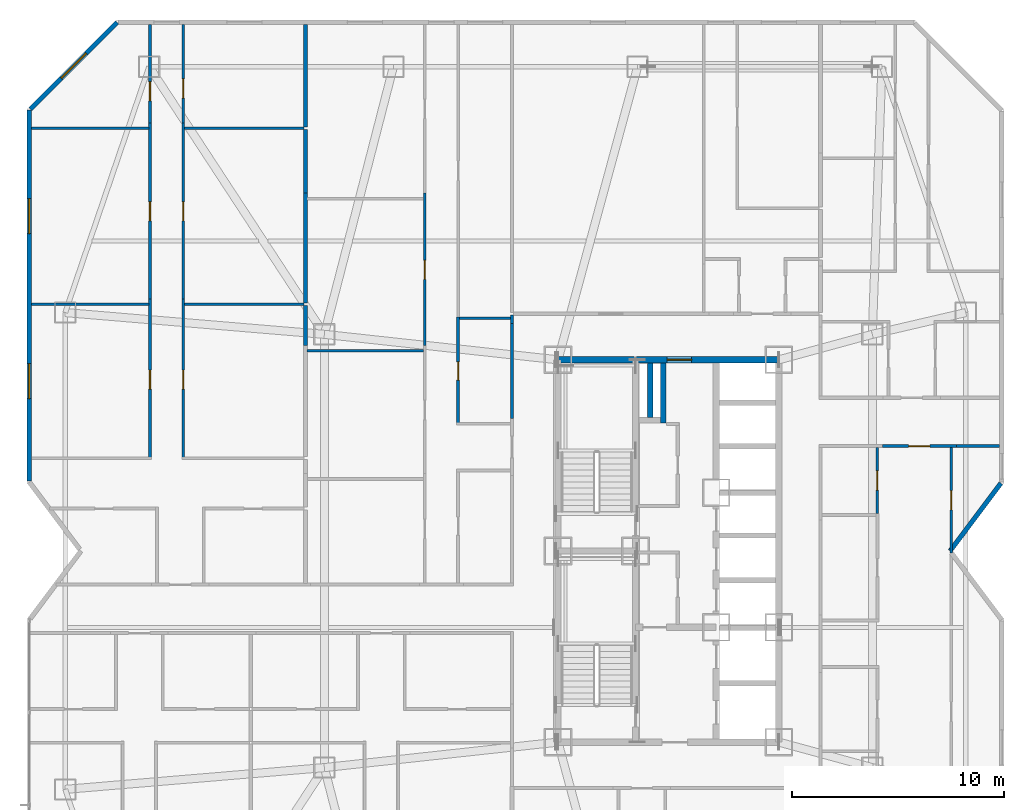
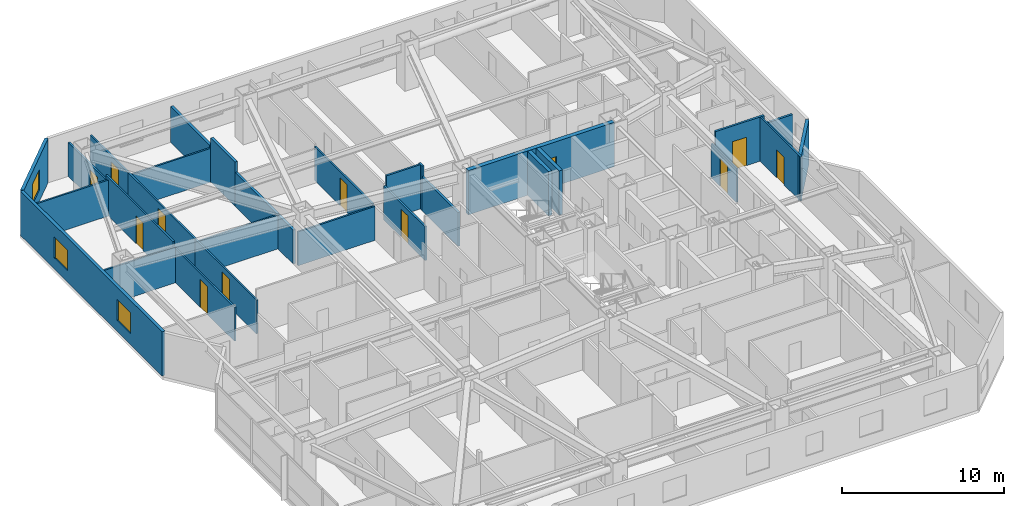
# One storey, part 15 of 18: 30 walls, 12 doors, 3 windows, 15 openings.
"""IFC4 building model written with IfcOpenShell, lengths in metres."""

from ifc_helpers import new_model, si_unit, direction, frame, frame_2d, origin, place, context, subcontext, project, spatial, rectangle, extrude, material, layer, layer_set, type_object, element, fill, save


model = new_model("IFC4")

# Units and contexts
model_context = context("Model", 3, precision=1e-05, world=origin(), true_north=direction((0.0, 1.0)))
body_context = subcontext(model_context, "Body", "Model", "MODEL_VIEW")
ifc_project = project(units=[si_unit("LENGTHUNIT", "METRE"), si_unit("AREAUNIT", "SQUARE_METRE"), si_unit("VOLUMEUNIT", "CUBIC_METRE"), si_unit("PLANEANGLEUNIT", "RADIAN"), si_unit("MASSUNIT", "GRAM", prefix="KILO")], contexts=[model_context])

# Site, building, storey
site_placement = place(None, origin())
site = spatial("IfcSite", under=ifc_project, at=site_placement, CompositionType="ELEMENT")
building_placement = place(site_placement, origin())
building = spatial("IfcBuilding", under=site, at=building_placement, Name="Khamvora Tower", CompositionType="ELEMENT")
storey_placement = place(building_placement, frame((0.0, 0.0, 80.75)))
storey = spatial("IfcBuildingStorey", under=building, at=storey_placement, Name="L20", CompositionType="ELEMENT", Elevation=80.75)

# Wall, opening, door
ifc_material_1 = material(Name="Concrete C50/60", Category="concrete")
ifc_layer_1 = layer(ifc_material_1, 0.300048828125)
ifc_layer_set_1 = layer_set([ifc_layer_1], Name="Concrete C50/60")
wall_type_1 = type_object("IfcWallType", Name="WAL-CORE-300", PredefinedType="SHEAR", material=ifc_layer_set_1)
wall_1_placement = place(storey_placement, frame((29.0, 37.0, 0.0), z_axis=(0.0, 0.0, 1.0), x_axis=(1.0, 0.0, 0.0)))
wall_1 = element("IfcWall", 1, at=wall_1_placement, inside=storey, type_object=wall_type_1, Name="L20 central core north wall", PredefinedType="SHEAR", context=body_context, shape_type="SweptSolid", body=[
    extrude(rectangle(XDim=10.39990234375, YDim=0.300048828125, at=frame_2d((5.199951171875, 0.0))), origin(), (0.0, 0.0, 1.0), 3.330078125),
])
opening_1_placement = place(wall_1_placement, frame((5.139892578125, 0.0, 0.0)))
opening_1 = element("IfcOpeningElement", 2, at=opening_1_placement, cuts=wall_1, Name="Opening D-SC1", PredefinedType="OPENING", context=body_context, shape_type="SweptSolid", body=[
    extrude(rectangle(XDim=1.14990234375, YDim=2.199951171875, at=frame_2d((0.574951171875, 1.10009765625))), frame((0.0, 0.159912109375, 0.0), z_axis=(0.0, -1.0, 0.0), x_axis=(1.0, 0.0, 0.0)), (0.0, 0.0, 1.0), 0.320068359375),
])
ifc_material_2 = material(Name="Powder-Coated Steel and Hardwood Leaf", Category="steel")
door_type_1 = type_object("IfcDoorType", Name="DOR-SCHL-1150", OperationType="NOTDEFINED", PredefinedType="DOOR", material=ifc_material_2)
door_1_placement = place(opening_1_placement, origin())
door_1 = element("IfcDoor", 3, at=door_1_placement, inside=storey, type_object=door_type_1, Name="L20 north core lobby to corridor fire door", OperationType="SINGLE_SWING_LEFT", OverallHeight=2.199951171875, OverallWidth=1.14990234375, PredefinedType="DOOR", context=body_context, shape_type="SweptSolid", body=[
    extrude(rectangle(XDim=1.14990234375, YDim=2.199951171875, at=frame_2d((0.574951171875, 1.10009765625))), frame((0.0, 0.02490234375, 0.0), z_axis=(0.0, -1.0, 0.0), x_axis=(1.0, 0.0, 0.0)), (0.0, 0.0, 1.0), 0.050048828125),
])
fill(opening_1, door_1)

# Walls
ifc_material_3 = material(Name="Fire-Rated Drywall and Steel Stud", Category="steel")
ifc_layer_2 = layer(ifc_material_3, 0.14990234375)
ifc_layer_set_2 = layer_set([ifc_layer_2], Name="Fire-Rated Drywall and Steel Stud")
wall_type_2 = type_object("IfcWallType", Name="WAL-CORR-150", PredefinedType="STANDARD", material=ifc_layer_set_2)
wall_2_placement = place(storey_placement, frame((26.8349609375, 38.70703125, 0.0), z_axis=(0.0, 0.0, 1.0), x_axis=(0.0, 1.0, 0.0)))
element("IfcWall", 4, at=wall_2_placement, inside=storey, type_object=wall_type_2, Name="L20 interior partition wall 019", PredefinedType="STANDARD", context=body_context, shape_type="SweptSolid", body=[
    extrude(rectangle(XDim=0.39306640625, YDim=0.14990234375, at=frame_2d((0.196533203125, 0.0))), origin(), (0.0, 0.0, 1.0), 3.330078125),
])
wall_3_placement = place(storey_placement, frame((26.8349609375, 34.239990234375, 0.0), z_axis=(0.0, 0.0, 1.0), x_axis=(0.0, 1.0, 0.0)))
element("IfcWall", 5, at=wall_3_placement, inside=storey, type_object=wall_type_2, Name="L20 interior partition wall 022", PredefinedType="STANDARD", context=body_context, shape_type="SweptSolid", body=[
    extrude(rectangle(XDim=4.467041015625, YDim=0.14990234375, at=frame_2d((2.2333984375, 0.0))), origin(), (0.0, 0.0, 1.0), 2.547119140625),
])

# Wall, opening, door
wall_4_placement = place(storey_placement, frame((47.76708984375, 32.93505859375, 0.0), z_axis=(0.0, 0.0, 1.0), x_axis=(-1.0, 0.0, 0.0)))
wall_4 = element("IfcWall", 6, at=wall_4_placement, inside=storey, type_object=wall_type_2, Name="L20 interior partition wall 035", PredefinedType="STANDARD", context=body_context, shape_type="SweptSolid", body=[
    extrude(rectangle(XDim=3.47998046875, YDim=0.14990234375, at=frame_2d((1.739990234375, 0.0))), origin(), (0.0, 0.0, 1.0), 3.330078125),
])
opening_2_placement = place(wall_4_placement, frame((1.260986328125, 0.0, 0.0)))
opening_2 = element("IfcOpeningElement", 7, at=opening_2_placement, cuts=wall_4, Name="Opening D-U1", PredefinedType="OPENING", context=body_context, shape_type="SweptSolid", body=[
    extrude(rectangle(XDim=1.0, YDim=2.14990234375, at=frame_2d((0.5, 1.074951171875))), frame((0.0, 0.0849609375, 0.0), z_axis=(0.0, -1.0, 0.0), x_axis=(1.0, 0.0, 0.0)), (0.0, 0.0, 1.0), 0.169921875),
])
door_type_2 = type_object("IfcDoorType", Name="DOR-UNIT-1000", OperationType="NOTDEFINED", PredefinedType="DOOR", material=ifc_material_2)
door_2_placement = place(opening_2_placement, origin())
door_2 = element("IfcDoor", 8, at=door_2_placement, inside=storey, type_object=door_type_2, Name="L20 interior door COR-20EAH", OperationType="SINGLE_SWING_LEFT", OverallHeight=2.14990234375, OverallWidth=1.0, PredefinedType="DOOR", context=body_context, shape_type="SweptSolid", body=[
    extrude(rectangle(XDim=1.0, YDim=2.14990234375, at=frame_2d((0.5, 1.074951171875))), frame((0.0, 0.02490234375, 0.0), z_axis=(0.0, -1.0, 0.0), x_axis=(1.0, 0.0, 0.0)), (0.0, 0.0, 1.0), 0.050048828125),
])
fill(opening_2, door_2)

# Walls
wall_5_placement = place(storey_placement, frame((49.7880859375, 32.93505859375, 0.0), z_axis=(0.0, 0.0, 1.0), x_axis=(-1.0, 0.0, 0.0)))
element("IfcWall", 9, at=wall_5_placement, inside=storey, type_object=wall_type_2, Name="L20 interior partition wall 039", PredefinedType="STANDARD", context=body_context, shape_type="SweptSolid", body=[
    extrude(rectangle(XDim=2.02099609375, YDim=0.14990234375, at=frame_2d((1.010498046875, 0.0))), origin(), (0.0, 0.0, 1.0), 2.702880859375),
])
ifc_material_4 = material(Name="Acoustic Double-Stud Fire Wall", Category="gypsum")
ifc_layer_3 = layer(ifc_material_4, 0.179931640625)
ifc_layer_set_3 = layer_set([ifc_layer_3], Name="Acoustic Double-Stud Fire Wall")
wall_type_3 = type_object("IfcWallType", Name="WAL-CORR-180", PredefinedType="STANDARD", material=ifc_layer_set_3)
wall_6_placement = place(storey_placement, frame((17.10498046875, 39.556884765625, 0.0), z_axis=(0.0, 0.0, 1.0), x_axis=(0.0, -1.0, 0.0)))
element("IfcWall", 10, at=wall_6_placement, inside=storey, type_object=wall_type_3, Name="L20 interior partition wall 101", PredefinedType="STANDARD", context=body_context, shape_type="SweptSolid", body=[
    extrude(rectangle(XDim=1.880859375, YDim=0.179931640625, at=frame_2d((0.9404296875, 0.0))), origin(), (0.0, 0.0, 1.0), 2.547119140625),
])
wall_7_placement = place(storey_placement, frame((17.10498046875, 44.843017578125, 0.0), z_axis=(0.0, 0.0, 1.0), x_axis=(0.0, -1.0, 0.0)))
element("IfcWall", 11, at=wall_7_placement, inside=storey, type_object=wall_type_3, Name="L20 interior partition wall 103", PredefinedType="STANDARD", context=body_context, shape_type="SweptSolid", body=[
    extrude(rectangle(XDim=5.156005859375, YDim=0.179931640625, at=frame_2d((2.578125, 0.0))), origin(), (0.0, 0.0, 1.0), 2.547119140625),
])
wall_8_placement = place(storey_placement, frame((17.10498046875, 47.8369140625, 0.0), z_axis=(0.0, 0.0, 1.0), x_axis=(0.0, -1.0, 0.0)))
element("IfcWall", 12, at=wall_8_placement, inside=storey, type_object=wall_type_3, Name="L20 interior partition wall 104", PredefinedType="STANDARD", context=body_context, shape_type="SweptSolid", body=[
    extrude(rectangle(XDim=2.993896484375, YDim=0.179931640625, at=frame_2d((1.4970703125, 0.0))), origin(), (0.0, 0.0, 1.0), 3.330078125),
])
wall_9_placement = place(storey_placement, frame((17.10498046875, 52.7880859375, 0.0), z_axis=(0.0, 0.0, 1.0), x_axis=(0.0, -1.0, 0.0)))
element("IfcWall", 13, at=wall_9_placement, inside=storey, type_object=wall_type_3, Name="L20 interior partition wall 105", PredefinedType="STANDARD", context=body_context, shape_type="SweptSolid", body=[
    extrude(rectangle(XDim=4.821044921875, YDim=0.179931640625, at=frame_2d((2.41064453125, 0.0))), origin(), (0.0, 0.0, 1.0), 2.702880859375),
])

# Wall, openings, windows
ifc_material_5 = material(Name="Precast concrete C40/50", Category="concrete")
ifc_layer_4 = layer(ifc_material_5, 0.219970703125)
ifc_layer_set_4 = layer_set([ifc_layer_4], Name="Precast concrete C40/50")
wall_type_4 = type_object("IfcWallType", Name="WAL-EXT-220", PredefinedType="STANDARD", material=ifc_layer_set_4)
wall_10_placement = place(storey_placement, frame((4.110107421875, 31.294921875, 0.0), z_axis=(0.0, 0.0, 1.0), x_axis=(0.0, 1.0, 0.0)))
wall_10 = element("IfcWall", 14, at=wall_10_placement, inside=storey, type_object=wall_type_4, Name="L20 exterior facade wall 05.1", PredefinedType="STANDARD", context=body_context, shape_type="SweptSolid", body=[
    extrude(rectangle(XDim=17.458984375, YDim=0.219970703125, at=frame_2d((8.7294921875, 0.0))), origin(), (0.0, 0.0, 1.0), 3.330078125),
])
opening_3_placement = place(wall_10_placement, frame((3.87890625, 0.0, 0.85009765625)))
opening_3 = element("IfcOpeningElement", 15, at=opening_3_placement, cuts=wall_10, Name="Opening WN-06", PredefinedType="OPENING", context=body_context, shape_type="SweptSolid", body=[
    extrude(rectangle(XDim=1.64990234375, YDim=1.550048828125, at=frame_2d((0.824951171875, 0.77490234375))), frame((0.0, 0.119873046875, 0.0), z_axis=(0.0, -1.0, 0.0), x_axis=(1.0, 0.0, 0.0)), (0.0, 0.0, 1.0), 0.239990234375),
])
opening_4_placement = place(wall_10_placement, frame((11.64208984375, 0.0, 0.85009765625)))
opening_4 = element("IfcOpeningElement", 16, at=opening_4_placement, cuts=wall_10, Name="Opening WN-06", PredefinedType="OPENING", context=body_context, shape_type="SweptSolid", body=[
    extrude(rectangle(XDim=1.64990234375, YDim=1.550048828125, at=frame_2d((0.824951171875, 0.77490234375))), frame((0.0, 0.119873046875, 0.0), z_axis=(0.0, -1.0, 0.0), x_axis=(1.0, 0.0, 0.0)), (0.0, 0.0, 1.0), 0.239990234375),
])
ifc_material_6 = material(Name="Low-E Laminated Double Glazing", Category="glass")
window_type = type_object("IfcWindowType", Name="WIN-VIS-1650x1550", PartitioningType="SINGLE_PANEL", PredefinedType="WINDOW", material=ifc_material_6)
window_1_placement = place(opening_3_placement, origin())
window_1 = element("IfcWindow", 17, at=window_1_placement, inside=storey, type_object=window_type, Name="L20 vision window 05.1.01", OverallHeight=1.550048828125, OverallWidth=1.64990234375, PartitioningType="SINGLE_PANEL", PredefinedType="WINDOW", context=body_context, shape_type="SweptSolid", body=[
    extrude(rectangle(XDim=1.64990234375, YDim=1.550048828125, at=frame_2d((0.824951171875, 0.77490234375))), frame((0.0, 0.030029296875, 0.0), z_axis=(0.0, -1.0, 0.0), x_axis=(1.0, 0.0, 0.0)), (0.0, 0.0, 1.0), 0.06005859375),
])
fill(opening_3, window_1)
window_2_placement = place(opening_4_placement, origin())
window_2 = element("IfcWindow", 18, at=window_2_placement, inside=storey, type_object=window_type, Name="L20 vision window 05.1.02", OverallHeight=1.550048828125, OverallWidth=1.64990234375, PartitioningType="SINGLE_PANEL", PredefinedType="WINDOW", context=body_context, shape_type="SweptSolid", body=[
    extrude(rectangle(XDim=1.64990234375, YDim=1.550048828125, at=frame_2d((0.824951171875, 0.77490234375))), frame((0.0, 0.030029296875, 0.0), z_axis=(0.0, -1.0, 0.0), x_axis=(1.0, 0.0, 0.0)), (0.0, 0.0, 1.0), 0.06005859375),
])
fill(opening_4, window_2)

# Wall, opening, window
wall_11_placement = place(storey_placement, frame((4.157958984375, 48.802001953125, 0.0), z_axis=(0.0, 0.0, 1.0), x_axis=(0.70712789547, 0.707085666273, 0.0)))
wall_11 = element("IfcWall", 19, at=wall_11_placement, inside=storey, type_object=wall_type_4, Name="L20 exterior facade wall 06.1", PredefinedType="STANDARD", context=body_context, shape_type="SweptSolid", body=[
    extrude(rectangle(XDim=5.78125, YDim=0.219970703125, at=frame_2d((2.890625, 0.0))), origin(), (0.0, 0.0, 1.0), 3.330078125),
])
opening_5_placement = place(wall_11_placement, frame((2.06591796875, 0.0, 0.85009765625)))
opening_5 = element("IfcOpeningElement", 20, at=opening_5_placement, cuts=wall_11, Name="Opening WN-06", PredefinedType="OPENING", context=body_context, shape_type="SweptSolid", body=[
    extrude(rectangle(XDim=1.64990234375, YDim=1.550048828125, at=frame_2d((0.824951171875, 0.77490234375))), frame((0.0, 0.119873046875, 0.0), z_axis=(0.0, -1.0, 0.0), x_axis=(1.0, 0.0, 0.0)), (0.0, 0.0, 1.0), 0.239990234375),
])
window_3_placement = place(opening_5_placement, origin())
window_3 = element("IfcWindow", 21, at=window_3_placement, inside=storey, type_object=window_type, Name="L20 vision window 06.1.01", OverallHeight=1.550048828125, OverallWidth=1.64990234375, PartitioningType="SINGLE_PANEL", PredefinedType="WINDOW", context=body_context, shape_type="SweptSolid", body=[
    extrude(rectangle(XDim=1.64990234375, YDim=1.550048828125, at=frame_2d((0.824951171875, 0.77490234375))), frame((0.0, 0.030029296875, 0.0), z_axis=(0.0, -1.0, 0.0), x_axis=(1.0, 0.0, 0.0)), (0.0, 0.0, 1.0), 0.06005859375),
])
fill(opening_5, window_3)

# Wall
wall_12_placement = place(storey_placement, frame((49.85595703125, 31.19091796875, 0.0), z_axis=(0.0, 0.0, 1.0), x_axis=(-0.600137081448, -0.799897170561, 0.0)))
element("IfcWall", 22, at=wall_12_placement, inside=storey, type_object=wall_type_4, Name="L20 exterior facade wall 10.1", PredefinedType="STANDARD", context=body_context, shape_type="SweptSolid", body=[
    extrude(rectangle(XDim=3.9892578125, YDim=0.219970703125, at=frame_2d((1.99462890625, 0.0))), origin(), (0.0, 0.0, 1.0), 3.330078125),
])

# Wall, opening, door
ifc_material_7 = material(Name="Gypsum Plasterboard Partition", Category="gypsum")
ifc_layer_5 = layer(ifc_material_7, 0.1201171875)
ifc_layer_set_5 = layer_set([ifc_layer_5], Name="Gypsum Plasterboard Partition")
wall_type_5 = type_object("IfcWallType", Name="WAL-PART-120", PredefinedType="PARTITIONING", material=ifc_layer_set_5)
wall_13_placement = place(storey_placement, frame((9.7900390625, 32.31005859375, 0.0), z_axis=(0.0, 0.0, 1.0), x_axis=(0.0, 1.0, 0.0)))
wall_13 = element("IfcWall", 23, at=wall_13_placement, inside=storey, type_object=wall_type_5, Name="L20 interior partition wall 086", PredefinedType="PARTITIONING", context=body_context, shape_type="SweptSolid", body=[
    extrude(rectangle(XDim=7.56201171875, YDim=0.1201171875, at=frame_2d((3.781005859375, 0.0))), origin(), (0.0, 0.0, 1.0), 2.547119140625),
])
opening_6_placement = place(wall_13_placement, frame((3.30908203125, 0.0, 0.0)))
opening_6 = element("IfcOpeningElement", 24, at=opening_6_placement, cuts=wall_13, Name="Opening D-RM1", PredefinedType="OPENING", context=body_context, shape_type="SweptSolid", body=[
    extrude(rectangle(XDim=0.89990234375, YDim=2.10009765625, at=frame_2d((0.449951171875, 1.050048828125))), frame((0.0, 0.070068359375, 0.0), z_axis=(0.0, -1.0, 0.0), x_axis=(1.0, 0.0, 0.0)), (0.0, 0.0, 1.0), 0.14013671875),
])
door_type_3 = type_object("IfcDoorType", Name="DOR-ROOM-900", OperationType="NOTDEFINED", PredefinedType="DOOR", material=ifc_material_2)
door_3_placement = place(opening_6_placement, origin())
door_3 = element("IfcDoor", 25, at=door_3_placement, inside=storey, type_object=door_type_3, Name="L20 interior door 20WBH-20WBR1", OperationType="SINGLE_SWING_LEFT", OverallHeight=2.10009765625, OverallWidth=0.89990234375, PredefinedType="DOOR", context=body_context, shape_type="SweptSolid", body=[
    extrude(rectangle(XDim=0.89990234375, YDim=2.10009765625, at=frame_2d((0.449951171875, 1.050048828125))), frame((0.0, 0.02490234375, 0.0), z_axis=(0.0, -1.0, 0.0), x_axis=(1.0, 0.0, 0.0)), (0.0, 0.0, 1.0), 0.050048828125),
])
fill(opening_6, door_3)

wall_14_placement = place(storey_placement, frame((9.7900390625, 39.8720703125, 0.0), z_axis=(0.0, 0.0, 1.0), x_axis=(0.0, 1.0, 0.0)))
wall_14 = element("IfcWall", 26, at=wall_14_placement, inside=storey, type_object=wall_type_5, Name="L20 interior partition wall 088", PredefinedType="PARTITIONING", context=body_context, shape_type="SweptSolid", body=[
    extrude(rectangle(XDim=8.27880859375, YDim=0.1201171875, at=frame_2d((4.139404296875, 0.0))), origin(), (0.0, 0.0, 1.0), 2.9130859375),
])
opening_7_placement = place(wall_14_placement, frame((3.66796875, 0.0, 0.0)))
opening_7 = element("IfcOpeningElement", 27, at=opening_7_placement, cuts=wall_14, Name="Opening D-RM1", PredefinedType="OPENING", context=body_context, shape_type="SweptSolid", body=[
    extrude(rectangle(XDim=0.89990234375, YDim=2.10009765625, at=frame_2d((0.449951171875, 1.050048828125))), frame((0.0, 0.070068359375, 0.0), z_axis=(0.0, -1.0, 0.0), x_axis=(1.0, 0.0, 0.0)), (0.0, 0.0, 1.0), 0.14013671875),
])
door_4_placement = place(opening_7_placement, origin())
door_4 = element("IfcDoor", 28, at=door_4_placement, inside=storey, type_object=door_type_3, Name="L20 interior door 20WBH-20WBR2", OperationType="SINGLE_SWING_RIGHT", OverallHeight=2.10009765625, OverallWidth=0.89990234375, PredefinedType="DOOR", context=body_context, shape_type="SweptSolid", body=[
    extrude(rectangle(XDim=0.89990234375, YDim=2.10009765625, at=frame_2d((0.449951171875, 1.050048828125))), frame((0.0, 0.02490234375, 0.0), z_axis=(0.0, -1.0, 0.0), x_axis=(1.0, 0.0, 0.0)), (0.0, 0.0, 1.0), 0.050048828125),
])
fill(opening_7, door_4)

wall_15_placement = place(storey_placement, frame((9.7900390625, 48.15087890625, 0.0), z_axis=(0.0, 0.0, 1.0), x_axis=(0.0, 1.0, 0.0)))
wall_15 = element("IfcWall", 29, at=wall_15_placement, inside=storey, type_object=wall_type_5, Name="L20 interior partition wall 089", PredefinedType="PARTITIONING", context=body_context, shape_type="SweptSolid", body=[
    extrude(rectangle(XDim=4.63720703125, YDim=0.1201171875, at=frame_2d((2.318603515625, 0.0))), origin(), (0.0, 0.0, 1.0), 2.547119140625),
])
opening_8_placement = place(wall_15_placement, frame((1.037109375, 0.0, 0.0)))
opening_8 = element("IfcOpeningElement", 30, at=opening_8_placement, cuts=wall_15, Name="Opening D-RM1", PredefinedType="OPENING", context=body_context, shape_type="SweptSolid", body=[
    extrude(rectangle(XDim=0.89990234375, YDim=2.10009765625, at=frame_2d((0.449951171875, 1.050048828125))), frame((0.0, 0.070068359375, 0.0), z_axis=(0.0, -1.0, 0.0), x_axis=(1.0, 0.0, 0.0)), (0.0, 0.0, 1.0), 0.14013671875),
])
door_5_placement = place(opening_8_placement, origin())
door_5 = element("IfcDoor", 31, at=door_5_placement, inside=storey, type_object=door_type_3, Name="L20 interior door 20WBH-20WBR3", OperationType="SINGLE_SWING_LEFT", OverallHeight=2.10009765625, OverallWidth=0.89990234375, PredefinedType="DOOR", context=body_context, shape_type="SweptSolid", body=[
    extrude(rectangle(XDim=0.89990234375, YDim=2.10009765625, at=frame_2d((0.449951171875, 1.050048828125))), frame((0.0, 0.02490234375, 0.0), z_axis=(0.0, -1.0, 0.0), x_axis=(1.0, 0.0, 0.0)), (0.0, 0.0, 1.0), 0.050048828125),
])
fill(opening_8, door_5)

wall_16_placement = place(storey_placement, frame((11.360107421875, 39.8720703125, 0.0), z_axis=(0.0, 0.0, 1.0), x_axis=(0.0, -1.0, 0.0)))
wall_16 = element("IfcWall", 32, at=wall_16_placement, inside=storey, type_object=wall_type_5, Name="L20 interior partition wall 090", PredefinedType="PARTITIONING", context=body_context, shape_type="SweptSolid", body=[
    extrude(rectangle(XDim=7.56201171875, YDim=0.1201171875, at=frame_2d((3.781005859375, 0.0))), origin(), (0.0, 0.0, 1.0), 2.547119140625),
])
opening_9_placement = place(wall_16_placement, frame((3.35302734375, 0.0, 0.0)))
opening_9 = element("IfcOpeningElement", 33, at=opening_9_placement, cuts=wall_16, Name="Opening D-RM1", PredefinedType="OPENING", context=body_context, shape_type="SweptSolid", body=[
    extrude(rectangle(XDim=0.89990234375, YDim=2.10009765625, at=frame_2d((0.449951171875, 1.050048828125))), frame((0.0, 0.070068359375, 0.0), z_axis=(0.0, -1.0, 0.0), x_axis=(1.0, 0.0, 0.0)), (0.0, 0.0, 1.0), 0.14013671875),
])
door_6_placement = place(opening_9_placement, origin())
door_6 = element("IfcDoor", 34, at=door_6_placement, inside=storey, type_object=door_type_3, Name="L20 interior door 20WBH-20WBR4", OperationType="SINGLE_SWING_LEFT", OverallHeight=2.10009765625, OverallWidth=0.89990234375, PredefinedType="DOOR", context=body_context, shape_type="SweptSolid", body=[
    extrude(rectangle(XDim=0.89990234375, YDim=2.10009765625, at=frame_2d((0.449951171875, 1.050048828125))), frame((0.0, 0.02490234375, 0.0), z_axis=(0.0, -1.0, 0.0), x_axis=(1.0, 0.0, 0.0)), (0.0, 0.0, 1.0), 0.050048828125),
])
fill(opening_9, door_6)

wall_17_placement = place(storey_placement, frame((11.360107421875, 48.15087890625, 0.0), z_axis=(0.0, 0.0, 1.0), x_axis=(0.0, -1.0, 0.0)))
wall_17 = element("IfcWall", 35, at=wall_17_placement, inside=storey, type_object=wall_type_5, Name="L20 interior partition wall 092", PredefinedType="PARTITIONING", context=body_context, shape_type="SweptSolid", body=[
    extrude(rectangle(XDim=8.27880859375, YDim=0.1201171875, at=frame_2d((4.139404296875, 0.0))), origin(), (0.0, 0.0, 1.0), 2.547119140625),
])
opening_10_placement = place(wall_17_placement, frame((3.7099609375, 0.0, 0.0)))
opening_10 = element("IfcOpeningElement", 36, at=opening_10_placement, cuts=wall_17, Name="Opening D-RM1", PredefinedType="OPENING", context=body_context, shape_type="SweptSolid", body=[
    extrude(rectangle(XDim=0.89990234375, YDim=2.10009765625, at=frame_2d((0.449951171875, 1.050048828125))), frame((0.0, 0.070068359375, 0.0), z_axis=(0.0, -1.0, 0.0), x_axis=(1.0, 0.0, 0.0)), (0.0, 0.0, 1.0), 0.14013671875),
])
door_7_placement = place(opening_10_placement, origin())
door_7 = element("IfcDoor", 37, at=door_7_placement, inside=storey, type_object=door_type_3, Name="L20 interior door 20WBH-20WBR5", OperationType="SINGLE_SWING_RIGHT", OverallHeight=2.10009765625, OverallWidth=0.89990234375, PredefinedType="DOOR", context=body_context, shape_type="SweptSolid", body=[
    extrude(rectangle(XDim=0.89990234375, YDim=2.10009765625, at=frame_2d((0.449951171875, 1.050048828125))), frame((0.0, 0.02490234375, 0.0), z_axis=(0.0, -1.0, 0.0), x_axis=(1.0, 0.0, 0.0)), (0.0, 0.0, 1.0), 0.050048828125),
])
fill(opening_10, door_7)

wall_18_placement = place(storey_placement, frame((11.360107421875, 52.7880859375, 0.0), z_axis=(0.0, 0.0, 1.0), x_axis=(0.0, -1.0, 0.0)))
wall_18 = element("IfcWall", 38, at=wall_18_placement, inside=storey, type_object=wall_type_5, Name="L20 interior partition wall 093", PredefinedType="PARTITIONING", context=body_context, shape_type="SweptSolid", body=[
    extrude(rectangle(XDim=4.63720703125, YDim=0.1201171875, at=frame_2d((2.318603515625, 0.0))), origin(), (0.0, 0.0, 1.0), 2.547119140625),
])
opening_11_placement = place(wall_18_placement, frame((2.56201171875, 0.0, 0.0)))
opening_11 = element("IfcOpeningElement", 39, at=opening_11_placement, cuts=wall_18, Name="Opening D-RM1", PredefinedType="OPENING", context=body_context, shape_type="SweptSolid", body=[
    extrude(rectangle(XDim=0.89990234375, YDim=2.10009765625, at=frame_2d((0.449951171875, 1.050048828125))), frame((0.0, 0.070068359375, 0.0), z_axis=(0.0, -1.0, 0.0), x_axis=(1.0, 0.0, 0.0)), (0.0, 0.0, 1.0), 0.14013671875),
])
door_8_placement = place(opening_11_placement, origin())
door_8 = element("IfcDoor", 40, at=door_8_placement, inside=storey, type_object=door_type_3, Name="L20 interior door 20WBH-20WBR6", OperationType="SINGLE_SWING_LEFT", OverallHeight=2.10009765625, OverallWidth=0.89990234375, PredefinedType="DOOR", context=body_context, shape_type="SweptSolid", body=[
    extrude(rectangle(XDim=0.89990234375, YDim=2.10009765625, at=frame_2d((0.449951171875, 1.050048828125))), frame((0.0, 0.02490234375, 0.0), z_axis=(0.0, -1.0, 0.0), x_axis=(1.0, 0.0, 0.0)), (0.0, 0.0, 1.0), 0.050048828125),
])
fill(opening_11, door_8)

# Walls
for number, where, z_axis, x_axis, name in (
    (41, (4.2119140625, 39.6220703125, 0.0), (0.0, 0.0, 1.0), (1.0, 0.0, 0.0), "L20 interior partition wall 097"),
    (42, (4.2119140625, 47.902099609375, 0.0), (0.0, 0.0, 1.0), (1.0, 0.0, 0.0), "L20 interior partition wall 098"),
):
    element("IfcWall", number, at=place(storey_placement, frame(where, z_axis=z_axis, x_axis=x_axis)), inside=storey, type_object=wall_type_5, Name=name, PredefinedType="PARTITIONING", context=body_context, shape_type="SweptSolid", body=[
        extrude(rectangle(XDim=5.524169921875, YDim=0.1201171875, at=frame_2d((2.76220703125, 0.0))), origin(), (0.0, 0.0, 1.0), 2.702880859375),
    ])
for number, where, z_axis, x_axis, name in (
    (43, (11.4140625, 39.6220703125, 0.0), (0.0, 0.0, 1.0), (1.0, 0.0, 0.0), "L20 interior partition wall 099"),
    (44, (11.4140625, 47.902099609375, 0.0), (0.0, 0.0, 1.0), (1.0, 0.0, 0.0), "L20 interior partition wall 102"),
):
    element("IfcWall", number, at=place(storey_placement, frame(where, z_axis=z_axis, x_axis=x_axis)), inside=storey, type_object=wall_type_5, Name=name, PredefinedType="PARTITIONING", context=body_context, shape_type="SweptSolid", body=[
        extrude(rectangle(XDim=5.6259765625, YDim=0.1201171875, at=frame_2d((2.81298828125, 0.0))), origin(), (0.0, 0.0, 1.0), 2.547119140625),
    ])

# Wall, opening, door
wall_19_placement = place(storey_placement, frame((22.717041015625, 37.676025390625, 0.0), z_axis=(0.0, 0.0, 1.0), x_axis=(0.0, 1.0, 0.0)))
wall_19 = element("IfcWall", 45, at=wall_19_placement, inside=storey, type_object=wall_type_5, Name="L20 interior partition wall 114", PredefinedType="PARTITIONING", context=body_context, shape_type="SweptSolid", body=[
    extrude(rectangle(XDim=7.1669921875, YDim=0.1201171875, at=frame_2d((3.58349609375, 0.0))), origin(), (0.0, 0.0, 1.0), 2.547119140625),
])
opening_12_placement = place(wall_19_placement, frame((3.112060546875, 0.0, 0.0)))
opening_12 = element("IfcOpeningElement", 46, at=opening_12_placement, cuts=wall_19, Name="Opening D-RM1", PredefinedType="OPENING", context=body_context, shape_type="SweptSolid", body=[
    extrude(rectangle(XDim=0.89990234375, YDim=2.10009765625, at=frame_2d((0.449951171875, 1.050048828125))), frame((0.0, 0.070068359375, 0.0), z_axis=(0.0, -1.0, 0.0), x_axis=(1.0, 0.0, 0.0)), (0.0, 0.0, 1.0), 0.14013671875),
])
door_9_placement = place(opening_12_placement, origin())
door_9 = element("IfcDoor", 47, at=door_9_placement, inside=storey, type_object=door_type_3, Name="L20 interior door 20WCH-20WCR3", OperationType="SINGLE_SWING_LEFT", OverallHeight=2.10009765625, OverallWidth=0.89990234375, PredefinedType="DOOR", context=body_context, shape_type="SweptSolid", body=[
    extrude(rectangle(XDim=0.89990234375, YDim=2.10009765625, at=frame_2d((0.449951171875, 1.050048828125))), frame((0.0, 0.02490234375, 0.0), z_axis=(0.0, -1.0, 0.0), x_axis=(1.0, 0.0, 0.0)), (0.0, 0.0, 1.0), 0.050048828125),
])
fill(opening_12, door_9)

# Wall
wall_20_placement = place(storey_placement, frame((17.18701171875, 37.427001953125, 0.0), z_axis=(0.0, 0.0, 1.0), x_axis=(1.0, 0.0, 0.0)))
element("IfcWall", 48, at=wall_20_placement, inside=storey, type_object=wall_type_5, Name="L20 interior partition wall 117", PredefinedType="PARTITIONING", context=body_context, shape_type="SweptSolid", body=[
    extrude(rectangle(XDim=5.47607421875, YDim=0.1201171875, at=frame_2d((2.738037109375, 0.0))), origin(), (0.0, 0.0, 1.0), 2.547119140625),
])

# Wall, opening, door
wall_21_placement = place(storey_placement, frame((44.0380859375, 32.8701171875, 0.0), z_axis=(0.0, 0.0, 1.0), x_axis=(0.0, -1.0, 0.0)))
wall_21 = element("IfcWall", 49, at=wall_21_placement, inside=storey, type_object=wall_type_5, Name="L20 interior partition wall 149", PredefinedType="PARTITIONING", context=body_context, shape_type="SweptSolid", body=[
    extrude(rectangle(XDim=3.106201171875, YDim=0.1201171875, at=frame_2d((1.55322265625, 0.0))), origin(), (0.0, 0.0, 1.0), 2.547119140625),
])
opening_13_placement = place(wall_21_placement, frame((1.10302734375, 0.0, 0.0)))
opening_13 = element("IfcOpeningElement", 50, at=opening_13_placement, cuts=wall_21, Name="Opening D-RM1", PredefinedType="OPENING", context=body_context, shape_type="SweptSolid", body=[
    extrude(rectangle(XDim=0.89990234375, YDim=2.10009765625, at=frame_2d((0.449951171875, 1.050048828125))), frame((0.0, 0.070068359375, 0.0), z_axis=(0.0, -1.0, 0.0), x_axis=(1.0, 0.0, 0.0)), (0.0, 0.0, 1.0), 0.14013671875),
])
door_10_placement = place(opening_13_placement, origin())
door_10 = element("IfcDoor", 51, at=door_10_placement, inside=storey, type_object=door_type_3, Name="L20 interior door 20EAW2-20EAH", OperationType="SINGLE_SWING_RIGHT", OverallHeight=2.10009765625, OverallWidth=0.89990234375, PredefinedType="DOOR", context=body_context, shape_type="SweptSolid", body=[
    extrude(rectangle(XDim=0.89990234375, YDim=2.10009765625, at=frame_2d((0.449951171875, 1.050048828125))), frame((0.0, 0.02490234375, 0.0), z_axis=(0.0, -1.0, 0.0), x_axis=(1.0, 0.0, 0.0)), (0.0, 0.0, 1.0), 0.050048828125),
])
fill(opening_13, door_10)

wall_22_placement = place(storey_placement, frame((47.51806640625, 32.8701171875, 0.0), z_axis=(0.0, 0.0, 1.0), x_axis=(0.0, -1.0, 0.0)))
wall_22 = element("IfcWall", 52, at=wall_22_placement, inside=storey, type_object=wall_type_5, Name="L20 interior partition wall 158", PredefinedType="PARTITIONING", context=body_context, shape_type="SweptSolid", body=[
    extrude(rectangle(XDim=4.967041015625, YDim=0.1201171875, at=frame_2d((2.4833984375, 0.0))), origin(), (0.0, 0.0, 1.0), 3.330078125),
])
opening_14_placement = place(wall_22_placement, frame((2.032958984375, 0.0, 0.0)))
opening_14 = element("IfcOpeningElement", 53, at=opening_14_placement, cuts=wall_22, Name="Opening D-RM1", PredefinedType="OPENING", context=body_context, shape_type="SweptSolid", body=[
    extrude(rectangle(XDim=0.89990234375, YDim=2.10009765625, at=frame_2d((0.449951171875, 1.050048828125))), frame((0.0, 0.070068359375, 0.0), z_axis=(0.0, -1.0, 0.0), x_axis=(1.0, 0.0, 0.0)), (0.0, 0.0, 1.0), 0.14013671875),
])
door_11_placement = place(opening_14_placement, origin())
door_11 = element("IfcDoor", 54, at=door_11_placement, inside=storey, type_object=door_type_3, Name="L20 interior door 20EAH-20EAR3", OperationType="SINGLE_SWING_LEFT", OverallHeight=2.10009765625, OverallWidth=0.89990234375, PredefinedType="DOOR", context=body_context, shape_type="SweptSolid", body=[
    extrude(rectangle(XDim=0.89990234375, YDim=2.10009765625, at=frame_2d((0.449951171875, 1.050048828125))), frame((0.0, 0.02490234375, 0.0), z_axis=(0.0, -1.0, 0.0), x_axis=(1.0, 0.0, 0.0)), (0.0, 0.0, 1.0), 0.050048828125),
])
fill(opening_14, door_11)

# Walls
ifc_material_8 = material(Name="Concrete C40/50", Category="concrete")
ifc_layer_6 = layer(ifc_material_8, 0.25)
ifc_layer_set_6 = layer_set([ifc_layer_6], Name="Concrete C40/50")
wall_type_6 = type_object("IfcWallType", Name="WAL-PODS-250", PredefinedType="SHEAR", material=ifc_layer_set_6)
wall_23_placement = place(storey_placement, frame((33.955078125, 34.02490234375, 0.0), z_axis=(0.0, 0.0, 1.0), x_axis=(0.0, 1.0, 0.0)))
element("IfcWall", 55, at=wall_23_placement, inside=storey, type_object=wall_type_6, Name="L20 vertical MEP riser shaft east enclosure wall", PredefinedType="SHEAR", context=body_context, shape_type="SweptSolid", body=[
    extrude(rectangle(XDim=2.821044921875, YDim=0.25, at=frame_2d((1.41064453125, 0.0))), origin(), (0.0, 0.0, 1.0), 3.330078125),
])
wall_24_placement = place(storey_placement, frame((33.340087890625, 34.279052734375, 0.0), z_axis=(0.0, 0.0, 1.0), x_axis=(0.0, 1.0, 0.0)))
element("IfcWall", 56, at=wall_24_placement, inside=storey, type_object=wall_type_6, Name="L20 vertical MEP riser shaft divider enclosure wall", PredefinedType="SHEAR", context=body_context, shape_type="SweptSolid", body=[
    extrude(rectangle(XDim=2.56689453125, YDim=0.25, at=frame_2d((1.283447265625, 0.0))), origin(), (0.0, 0.0, 1.0), 3.330078125),
])
ifc_material_9 = material(Name="Moisture-Resistant Plasterboard Partition", Category="gypsum")
ifc_layer_7 = layer(ifc_material_9, 0.135009765625)
ifc_layer_set_7 = layer_set([ifc_layer_7], Name="Moisture-Resistant Plasterboard Partition")
wall_type_7 = type_object("IfcWallType", Name="WAL-WET-135", PredefinedType="PARTITIONING", material=ifc_layer_set_7)
wall_25_placement = place(storey_placement, frame((26.77001953125, 38.9560546875, 0.0), z_axis=(0.0, 0.0, 1.0), x_axis=(-1.0, 0.0, 0.0)))
element("IfcWall", 57, at=wall_25_placement, inside=storey, type_object=wall_type_7, Name="L20 interior partition wall 107", PredefinedType="PARTITIONING", context=body_context, shape_type="SweptSolid", body=[
    extrude(rectangle(XDim=2.407958984375, YDim=0.135009765625, at=frame_2d((1.2041015625, 0.0))), origin(), (0.0, 0.0, 1.0), 3.330078125),
])

# Wall, opening, door
wall_26_placement = place(storey_placement, frame((24.297119140625, 39.02099609375, 0.0), z_axis=(0.0, 0.0, 1.0), x_axis=(0.0, -1.0, 0.0)))
wall_26 = element("IfcWall", 58, at=wall_26_placement, inside=storey, type_object=wall_type_7, Name="L20 interior partition wall 108", PredefinedType="PARTITIONING", context=body_context, shape_type="SweptSolid", body=[
    extrude(rectangle(XDim=5.094970703125, YDim=0.135009765625, at=frame_2d((2.54736328125, 0.0))), origin(), (0.0, 0.0, 1.0), 2.547119140625),
])
opening_15_placement = place(wall_26_placement, frame((2.123046875, 0.0, 0.0)))
opening_15 = element("IfcOpeningElement", 59, at=opening_15_placement, cuts=wall_26, Name="Opening D-WC1", PredefinedType="OPENING", context=body_context, shape_type="SweptSolid", body=[
    extrude(rectangle(XDim=0.85009765625, YDim=2.10009765625, at=frame_2d((0.425048828125, 1.050048828125))), frame((0.0, 0.077392578125, 0.0), z_axis=(0.0, -1.0, 0.0), x_axis=(1.0, 0.0, 0.0)), (0.0, 0.0, 1.0), 0.155029296875),
])
door_type_4 = type_object("IfcDoorType", Name="DOR-WET-850", OperationType="NOTDEFINED", PredefinedType="DOOR", material=ifc_material_2)
door_12_placement = place(opening_15_placement, origin())
door_12 = element("IfcDoor", 60, at=door_12_placement, inside=storey, type_object=door_type_4, Name="L20 interior door 20WCH-20WCB", OperationType="SINGLE_SWING_LEFT", OverallHeight=2.10009765625, OverallWidth=0.85009765625, PredefinedType="DOOR", context=body_context, shape_type="SweptSolid", body=[
    extrude(rectangle(XDim=0.85009765625, YDim=2.10009765625, at=frame_2d((0.425048828125, 1.050048828125))), frame((0.0, 0.02490234375, 0.0), z_axis=(0.0, -1.0, 0.0), x_axis=(1.0, 0.0, 0.0)), (0.0, 0.0, 1.0), 0.050048828125),
])
fill(opening_15, door_12)

save(model, "model.ifc")
